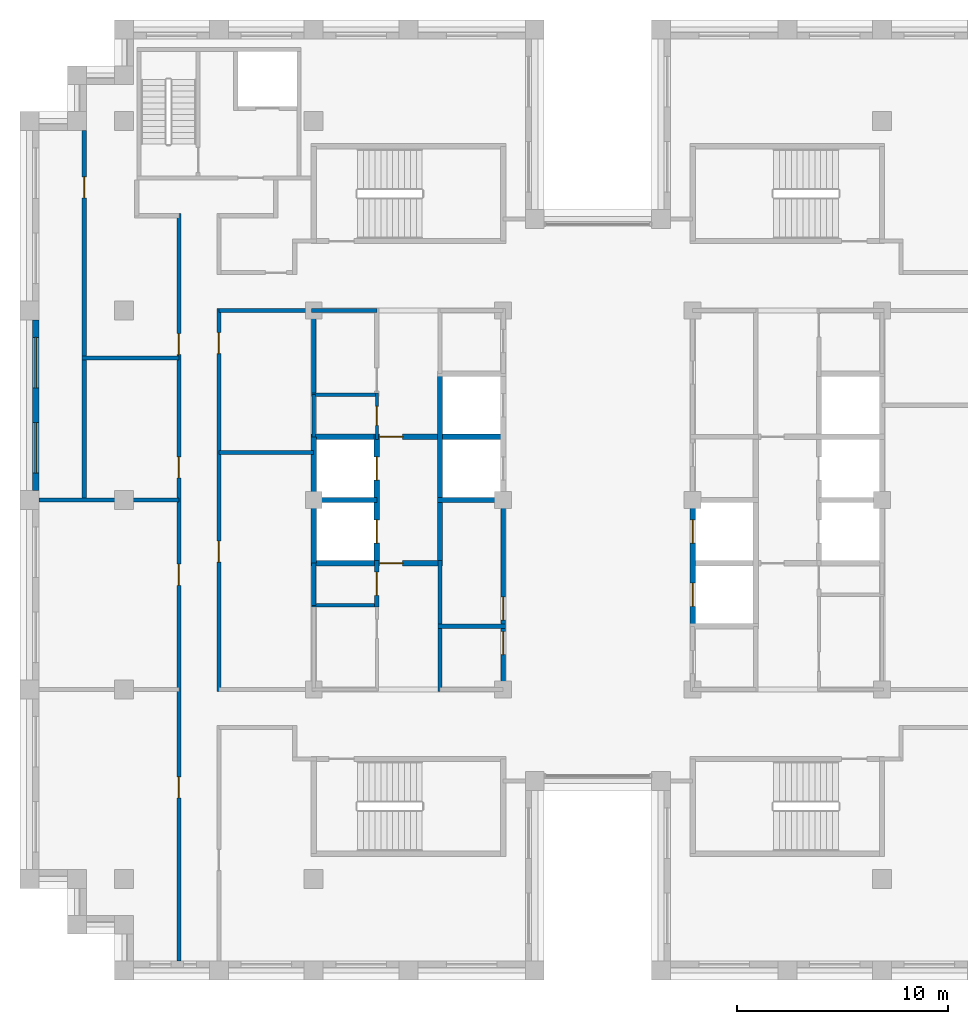
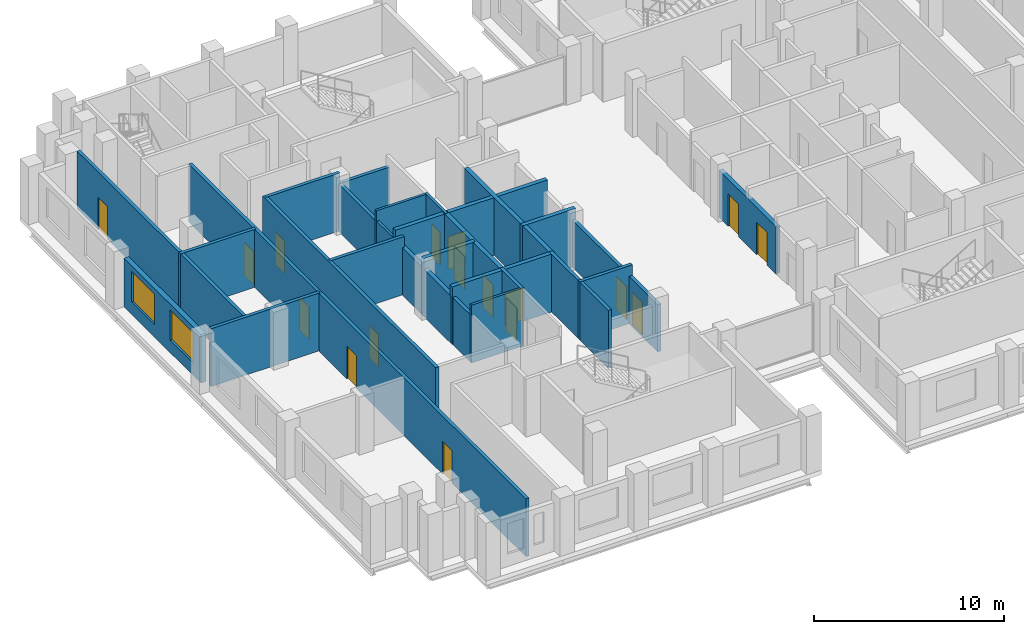
# One storey, part 7 of 13: 27 walls, 17 doors, 2 windows, 19 openings.
"""IFC4 building model written with IfcOpenShell, lengths in metres."""

from ifc_helpers import new_model, si_unit, direction, frame, frame_2d, origin, place, context, subcontext, project, spatial, rectangle, extrude, material, layer, layer_set, type_object, element, fill, save


model = new_model("IFC4")

# Units and contexts
model_context = context("Model", 3, precision=1e-05, world=origin(), true_north=direction((0.0, 1.0)))
body_context = subcontext(model_context, "Body", "Model", "MODEL_VIEW")
ifc_project = project(units=[si_unit("LENGTHUNIT", "METRE"), si_unit("AREAUNIT", "SQUARE_METRE"), si_unit("VOLUMEUNIT", "CUBIC_METRE"), si_unit("PLANEANGLEUNIT", "RADIAN"), si_unit("MASSUNIT", "GRAM", prefix="KILO")], contexts=[model_context])

# Site, building, storey
site_placement = place(None, origin())
site = spatial("IfcSite", under=ifc_project, at=site_placement, CompositionType="ELEMENT")
building_placement = place(site_placement, origin())
building = spatial("IfcBuilding", under=site, at=building_placement, Name="Corbelhall Arena Tower", CompositionType="ELEMENT")
storey_placement = place(building_placement, frame((0.0, 0.0, 246.0)))
storey = spatial("IfcBuildingStorey", under=building, at=storey_placement, Name="L52", CompositionType="ELEMENT", Elevation=246.0)

# Wall, openings, windows
ifc_material_1 = material(Name="Precast concrete C40/50 with granite facing", Category="masonry")
ifc_layer_1 = layer(ifc_material_1, 0.300048828125)
ifc_layer_set_1 = layer_set([ifc_layer_1], Name="EV-IW1 Infill panel 300")
wall_type_1 = type_object("IfcWallType", Name="EV-IW1 Infill panel 300", PredefinedType="SOLIDWALL", material=ifc_layer_set_1)
wall_1_placement = place(storey_placement, frame((-26.699951171875, 8.550048828125, 0.0), z_axis=(0.0, 0.0, 1.0), x_axis=(0.0, -1.0, 0.0)))
wall_1 = element("IfcWall", 1, at=wall_1_placement, inside=storey, type_object=wall_type_1, Name="Infill panel IW1", PredefinedType="SOLIDWALL", context=body_context, shape_type="SweptSolid", body=[
    extrude(rectangle(XDim=8.10009765625, YDim=0.300048828125, at=frame_2d((4.050048828125, 0.0))), origin(), (0.0, 0.0, 1.0), 3.1201171875),
])
opening_1_placement = place(wall_1_placement, frame((0.824951171875, 0.0, 0.800048828125)))
opening_1 = element("IfcOpeningElement", 2, at=opening_1_placement, cuts=wall_1, Name="Opening WN1", PredefinedType="OPENING", context=body_context, shape_type="SweptSolid", body=[
    extrude(rectangle(XDim=2.39990234375, YDim=1.949951171875, at=frame_2d((1.199951171875, 0.97509765625))), frame((0.0, 0.14990234375, 0.0), z_axis=(0.0, -1.0, 0.0), x_axis=(1.0, 0.0, 0.0)), (0.0, 0.0, 1.0), 0.300048828125),
])
opening_2_placement = place(wall_1_placement, frame((4.875, 0.0, 0.800048828125)))
opening_2 = element("IfcOpeningElement", 3, at=opening_2_placement, cuts=wall_1, Name="Opening WN1", PredefinedType="OPENING", context=body_context, shape_type="SweptSolid", body=[
    extrude(rectangle(XDim=2.39990234375, YDim=1.949951171875, at=frame_2d((1.199951171875, 0.97509765625))), frame((0.0, 0.14990234375, 0.0), z_axis=(0.0, -1.0, 0.0), x_axis=(1.0, 0.0, 0.0)), (0.0, 0.0, 1.0), 0.300048828125),
])
ifc_material_2 = material(Name="Aluminium black anodised", Category="aluminium")
window_type = type_object("IfcWindowType", Name="EV-WN1 Office window", PartitioningType="SINGLE_PANEL", PredefinedType="WINDOW", material=ifc_material_2)
window_1_placement = place(opening_1_placement, origin())
window_1 = element("IfcWindow", 4, at=window_1_placement, inside=storey, type_object=window_type, Name="Window WN1", OverallHeight=1.949951171875, OverallWidth=2.39990234375, PartitioningType="SINGLE_PANEL", PredefinedType="WINDOW", context=body_context, shape_type="SweptSolid", body=[
    extrude(rectangle(XDim=2.39990234375, YDim=1.949951171875, at=frame_2d((1.199951171875, 0.97509765625))), frame((0.0, 0.030029296875, 0.0), z_axis=(0.0, -1.0, 0.0), x_axis=(1.0, 0.0, 0.0)), (0.0, 0.0, 1.0), 0.06005859375),
])
fill(opening_1, window_1)
window_2_placement = place(opening_2_placement, origin())
window_2 = element("IfcWindow", 5, at=window_2_placement, inside=storey, type_object=window_type, Name="Window WN1", OverallHeight=1.949951171875, OverallWidth=2.39990234375, PartitioningType="SINGLE_PANEL", PredefinedType="WINDOW", context=body_context, shape_type="SweptSolid", body=[
    extrude(rectangle(XDim=2.39990234375, YDim=1.949951171875, at=frame_2d((1.199951171875, 0.97509765625))), frame((0.0, 0.030029296875, 0.0), z_axis=(0.0, -1.0, 0.0), x_axis=(1.0, 0.0, 0.0)), (0.0, 0.0, 1.0), 0.06005859375),
])
fill(opening_2, window_2)

# Wall
ifc_material_3 = material(Name="Gypsum board on steel stud, acoustic", Category="steel")
ifc_layer_2 = layer(ifc_material_3, 0.199951171875)
ifc_layer_set_2 = layer_set([ifc_layer_2], Name="IN-W-DM200")
wall_type_2 = type_object("IfcWallType", Name="IN-W-DM200", PredefinedType="PARTITIONING", material=ifc_layer_set_2)
wall_2_placement = place(storey_placement, frame((-24.5, 6.75, 0.0), z_axis=(0.0, 0.0, 1.0), x_axis=(1.0, 0.0, 0.0)))
element("IfcWall", 6, at=wall_2_placement, inside=storey, type_object=wall_type_2, Name="Partition 002", PredefinedType="PARTITIONING", context=body_context, shape_type="SweptSolid", body=[
    extrude(rectangle(XDim=4.60009765625, YDim=0.199951171875, at=frame_2d((2.300048828125, 0.0))), origin(), (0.0, 0.0, 1.0), 3.719970703125),
])

# Wall, opening, door
wall_3_placement = place(storey_placement, frame((-24.39990234375, -0.10009765625, 0.0), z_axis=(0.0, 0.0, 1.0), x_axis=(0.0, 1.0, 0.0)))
wall_3 = element("IfcWall", 7, at=wall_3_placement, inside=storey, type_object=wall_type_2, Name="Partition 003", PredefinedType="PARTITIONING", context=body_context, shape_type="SweptSolid", body=[
    extrude(rectangle(XDim=17.650146484375, YDim=0.199951171875, at=frame_2d((8.8251953125, 0.0))), origin(), (0.0, 0.0, 1.0), 3.719970703125),
])
opening_3_placement = place(wall_3_placement, frame((14.449951171875, 0.0, 0.0)))
opening_3 = element("IfcOpeningElement", 8, at=opening_3_placement, cuts=wall_3, Name="Opening 16031", PredefinedType="OPENING", context=body_context, shape_type="SweptSolid", body=[
    extrude(rectangle(XDim=1.0, YDim=2.10009765625, at=frame_2d((0.5, 1.050048828125))), frame((0.0, 0.10009765625, 0.0), z_axis=(0.0, -1.0, 0.0), x_axis=(1.0, 0.0, 0.0)), (0.0, 0.0, 1.0), 0.199951171875),
])
ifc_material_4 = material(Name="Steel door set", Category="steel")
door_type_1 = type_object("IfcDoorType", Name="IN-D-SW100", OperationType="NOTDEFINED", PredefinedType="DOOR", material=ifc_material_4)
door_1_placement = place(opening_3_placement, origin())
door_1 = element("IfcDoor", 9, at=door_1_placement, inside=storey, type_object=door_type_1, Name="Door 031", OperationType="SINGLE_SWING_RIGHT", OverallHeight=2.10009765625, OverallWidth=1.0, PredefinedType="DOOR", context=body_context, shape_type="SweptSolid", body=[
    extrude(rectangle(XDim=1.0, YDim=2.10009765625, at=frame_2d((0.5, 1.050048828125))), frame((0.0, 0.02490234375, 0.0), z_axis=(0.0, -1.0, 0.0), x_axis=(1.0, 0.0, 0.0)), (0.0, 0.0, 1.0), 0.050048828125),
])
fill(opening_3, door_1)

# Wall
wall_4_placement = place(storey_placement, frame((-19.89990234375, 0.0, 0.0), z_axis=(0.0, 0.0, 1.0), x_axis=(-1.0, 0.0, 0.0)))
element("IfcWall", 10, at=wall_4_placement, inside=storey, type_object=wall_type_2, Name="Partition 004", PredefinedType="PARTITIONING", context=body_context, shape_type="SweptSolid", body=[
    extrude(rectangle(XDim=6.650146484375, YDim=0.199951171875, at=frame_2d((3.3251953125, 0.0))), origin(), (0.0, 0.0, 1.0), 3.719970703125),
])

# Wall, openings, doors
wall_5_placement = place(storey_placement, frame((-19.89990234375, -21.89990234375, 0.0), z_axis=(0.0, 0.0, 1.0), x_axis=(0.0, 1.0, 0.0)))
wall_5 = element("IfcWall", 11, at=wall_5_placement, inside=storey, type_object=wall_type_2, Name="Partition 006", PredefinedType="PARTITIONING", context=body_context, shape_type="SweptSolid", body=[
    extrude(rectangle(XDim=35.5, YDim=0.199951171875, at=frame_2d((17.75, 0.0))), origin(), (0.0, 0.0, 1.0), 3.719970703125),
])
opening_4_placement = place(wall_5_placement, frame((22.949951171875, 0.0, 0.0)))
opening_4 = element("IfcOpeningElement", 12, at=opening_4_placement, cuts=wall_5, Name="Opening 16029", PredefinedType="OPENING", context=body_context, shape_type="SweptSolid", body=[
    extrude(rectangle(XDim=1.0, YDim=2.10009765625, at=frame_2d((0.5, 1.050048828125))), frame((0.0, 0.10009765625, 0.0), z_axis=(0.0, -1.0, 0.0), x_axis=(1.0, 0.0, 0.0)), (0.0, 0.0, 1.0), 0.199951171875),
])
opening_5_placement = place(wall_5_placement, frame((28.800048828125, 0.0, 0.0)))
opening_5 = element("IfcOpeningElement", 13, at=opening_5_placement, cuts=wall_5, Name="Opening 16030", PredefinedType="OPENING", context=body_context, shape_type="SweptSolid", body=[
    extrude(rectangle(XDim=1.0, YDim=2.10009765625, at=frame_2d((0.5, 1.050048828125))), frame((0.0, 0.10009765625, 0.0), z_axis=(0.0, -1.0, 0.0), x_axis=(1.0, 0.0, 0.0)), (0.0, 0.0, 1.0), 0.199951171875),
])
opening_6_placement = place(wall_5_placement, frame((7.75, 0.0, 0.0)))
opening_6 = element("IfcOpeningElement", 14, at=opening_6_placement, cuts=wall_5, Name="Opening 16032", PredefinedType="OPENING", context=body_context, shape_type="SweptSolid", body=[
    extrude(rectangle(XDim=1.0, YDim=2.10009765625, at=frame_2d((0.5, 1.050048828125))), frame((0.0, 0.10009765625, 0.0), z_axis=(0.0, -1.0, 0.0), x_axis=(1.0, 0.0, 0.0)), (0.0, 0.0, 1.0), 0.199951171875),
])
opening_7_placement = place(wall_5_placement, frame((17.85009765625, 0.0, 0.0)))
opening_7 = element("IfcOpeningElement", 15, at=opening_7_placement, cuts=wall_5, Name="Opening 16033", PredefinedType="OPENING", context=body_context, shape_type="SweptSolid", body=[
    extrude(rectangle(XDim=1.0, YDim=2.10009765625, at=frame_2d((0.5, 1.050048828125))), frame((0.0, 0.10009765625, 0.0), z_axis=(0.0, -1.0, 0.0), x_axis=(1.0, 0.0, 0.0)), (0.0, 0.0, 1.0), 0.199951171875),
])
door_2_placement = place(opening_4_placement, origin())
door_2 = element("IfcDoor", 16, at=door_2_placement, inside=storey, type_object=door_type_1, Name="Door 029", OperationType="SINGLE_SWING_RIGHT", OverallHeight=2.10009765625, OverallWidth=1.0, PredefinedType="DOOR", context=body_context, shape_type="SweptSolid", body=[
    extrude(rectangle(XDim=1.0, YDim=2.10009765625, at=frame_2d((0.5, 1.050048828125))), frame((0.0, 0.02490234375, 0.0), z_axis=(0.0, -1.0, 0.0), x_axis=(1.0, 0.0, 0.0)), (0.0, 0.0, 1.0), 0.050048828125),
])
fill(opening_4, door_2)
door_3_placement = place(opening_5_placement, origin())
door_3 = element("IfcDoor", 17, at=door_3_placement, inside=storey, type_object=door_type_1, Name="Door 030", OperationType="SINGLE_SWING_LEFT", OverallHeight=2.10009765625, OverallWidth=1.0, PredefinedType="DOOR", context=body_context, shape_type="SweptSolid", body=[
    extrude(rectangle(XDim=1.0, YDim=2.10009765625, at=frame_2d((0.5, 1.050048828125))), frame((0.0, 0.02490234375, 0.0), z_axis=(0.0, -1.0, 0.0), x_axis=(1.0, 0.0, 0.0)), (0.0, 0.0, 1.0), 0.050048828125),
])
fill(opening_5, door_3)
door_4_placement = place(opening_6_placement, origin())
door_4 = element("IfcDoor", 18, at=door_4_placement, inside=storey, type_object=door_type_1, Name="Door 032", OperationType="SINGLE_SWING_LEFT", OverallHeight=2.10009765625, OverallWidth=1.0, PredefinedType="DOOR", context=body_context, shape_type="SweptSolid", body=[
    extrude(rectangle(XDim=1.0, YDim=2.10009765625, at=frame_2d((0.5, 1.050048828125))), frame((0.0, 0.02490234375, 0.0), z_axis=(0.0, -1.0, 0.0), x_axis=(1.0, 0.0, 0.0)), (0.0, 0.0, 1.0), 0.050048828125),
])
fill(opening_6, door_4)
door_5_placement = place(opening_7_placement, origin())
door_5 = element("IfcDoor", 19, at=door_5_placement, inside=storey, type_object=door_type_1, Name="Door 033", OperationType="SINGLE_SWING_RIGHT", OverallHeight=2.10009765625, OverallWidth=1.0, PredefinedType="DOOR", context=body_context, shape_type="SweptSolid", body=[
    extrude(rectangle(XDim=1.0, YDim=2.10009765625, at=frame_2d((0.5, 1.050048828125))), frame((0.0, 0.02490234375, 0.0), z_axis=(0.0, -1.0, 0.0), x_axis=(1.0, 0.0, 0.0)), (0.0, 0.0, 1.0), 0.050048828125),
])
fill(opening_7, door_5)

# Wall
wall_6_placement = place(storey_placement, frame((-18.0, 2.25, 0.0), z_axis=(0.0, 0.0, 1.0), x_axis=(1.0, 0.0, 0.0)))
element("IfcWall", 20, at=wall_6_placement, inside=storey, type_object=wall_type_2, Name="Partition 010", PredefinedType="PARTITIONING", context=body_context, shape_type="SweptSolid", body=[
    extrude(rectangle(XDim=4.5, YDim=0.199951171875, at=frame_2d((2.25, 0.0))), origin(), (0.0, 0.0, 1.0), 3.719970703125),
])

# Wall, openings, doors
wall_7_placement = place(storey_placement, frame((-18.0, 9.10009765625, 0.0), z_axis=(0.0, 0.0, 1.0), x_axis=(0.0, -1.0, 0.0)))
wall_7 = element("IfcWall", 21, at=wall_7_placement, inside=storey, type_object=wall_type_2, Name="Partition 011", PredefinedType="PARTITIONING", context=body_context, shape_type="SweptSolid", body=[
    extrude(rectangle(XDim=18.2001953125, YDim=0.199951171875, at=frame_2d((9.10009765625, 0.0))), origin(), (0.0, 0.0, 1.0), 3.719970703125),
])
opening_8_placement = place(wall_7_placement, frame((11.050048828125, 0.0, 0.0)))
opening_8 = element("IfcOpeningElement", 22, at=opening_8_placement, cuts=wall_7, Name="Opening 16021", PredefinedType="OPENING", context=body_context, shape_type="SweptSolid", body=[
    extrude(rectangle(XDim=1.0, YDim=2.10009765625, at=frame_2d((0.5, 1.050048828125))), frame((0.0, 0.10009765625, 0.0), z_axis=(0.0, -1.0, 0.0), x_axis=(1.0, 0.0, 0.0)), (0.0, 0.0, 1.0), 0.199951171875),
])
opening_9_placement = place(wall_7_placement, frame((1.14990234375, 0.0, 0.0)))
opening_9 = element("IfcOpeningElement", 23, at=opening_9_placement, cuts=wall_7, Name="Opening 16022", PredefinedType="OPENING", context=body_context, shape_type="SweptSolid", body=[
    extrude(rectangle(XDim=1.0, YDim=2.10009765625, at=frame_2d((0.5, 1.050048828125))), frame((0.0, 0.10009765625, 0.0), z_axis=(0.0, -1.0, 0.0), x_axis=(1.0, 0.0, 0.0)), (0.0, 0.0, 1.0), 0.199951171875),
])
door_6_placement = place(opening_8_placement, origin())
door_6 = element("IfcDoor", 24, at=door_6_placement, inside=storey, type_object=door_type_1, Name="Door 021", OperationType="SINGLE_SWING_RIGHT", OverallHeight=2.10009765625, OverallWidth=1.0, PredefinedType="DOOR", context=body_context, shape_type="SweptSolid", body=[
    extrude(rectangle(XDim=1.0, YDim=2.10009765625, at=frame_2d((0.5, 1.050048828125))), frame((0.0, 0.02490234375, 0.0), z_axis=(0.0, -1.0, 0.0), x_axis=(1.0, 0.0, 0.0)), (0.0, 0.0, 1.0), 0.050048828125),
])
fill(opening_8, door_6)
door_7_placement = place(opening_9_placement, origin())
door_7 = element("IfcDoor", 25, at=door_7_placement, inside=storey, type_object=door_type_1, Name="Door 022", OperationType="SINGLE_SWING_LEFT", OverallHeight=2.10009765625, OverallWidth=1.0, PredefinedType="DOOR", context=body_context, shape_type="SweptSolid", body=[
    extrude(rectangle(XDim=1.0, YDim=2.10009765625, at=frame_2d((0.5, 1.050048828125))), frame((0.0, 0.02490234375, 0.0), z_axis=(0.0, -1.0, 0.0), x_axis=(1.0, 0.0, 0.0)), (0.0, 0.0, 1.0), 0.050048828125),
])
fill(opening_9, door_7)

# Wall
wall_8_placement = place(storey_placement, frame((-13.5, 9.0, 0.0), z_axis=(0.0, 0.0, 1.0), x_axis=(-1.0, 0.0, 0.0)))
element("IfcWall", 26, at=wall_8_placement, inside=storey, type_object=wall_type_2, Name="Partition 019", PredefinedType="PARTITIONING", context=body_context, shape_type="SweptSolid", body=[
    extrude(rectangle(XDim=4.5, YDim=0.199951171875, at=frame_2d((2.25, 0.0))), origin(), (0.0, 0.0, 1.0), 3.719970703125),
])

# Wall, opening, door
ifc_material_5 = material(Name="Concrete block wall", Category="concrete")
ifc_layer_3 = layer(ifc_material_5, 0.199951171875)
ifc_layer_set_3 = layer_set([ifc_layer_3], Name="IN-W-RS200")
wall_type_3 = type_object("IfcWallType", Name="IN-W-RS200", PredefinedType="SOLIDWALL", material=ifc_layer_set_3)
wall_9_placement = place(storey_placement, frame((-10.5, -5.074951171875, 0.0), z_axis=(0.0, 0.0, 1.0), x_axis=(0.0, 1.0, 0.0)))
wall_9 = element("IfcWall", 27, at=wall_9_placement, inside=storey, type_object=wall_type_3, Name="Partition 047", PredefinedType="SOLIDWALL", context=body_context, shape_type="SweptSolid", body=[
    extrude(rectangle(XDim=2.199951171875, YDim=0.199951171875, at=frame_2d((1.10009765625, 0.0))), origin(), (0.0, 0.0, 1.0), 3.719970703125),
])
opening_10_placement = place(wall_9_placement, frame((0.550048828125, 0.0, 0.0)))
opening_10 = element("IfcOpeningElement", 28, at=opening_10_placement, cuts=wall_9, Name="Opening 16007", PredefinedType="OPENING", context=body_context, shape_type="SweptSolid", body=[
    extrude(rectangle(XDim=1.10009765625, YDim=2.10009765625, at=frame_2d((0.550048828125, 1.050048828125))), frame((0.0, 0.10009765625, 0.0), z_axis=(0.0, -1.0, 0.0), x_axis=(1.0, 0.0, 0.0)), (0.0, 0.0, 1.0), 0.199951171875),
])
door_type_2 = type_object("IfcDoorType", Name="IN-D-FD110", OperationType="NOTDEFINED", PredefinedType="DOOR", material=ifc_material_4)
door_8_placement = place(opening_10_placement, origin())
door_8 = element("IfcDoor", 29, at=door_8_placement, inside=storey, type_object=door_type_2, Name="Door 007", OperationType="SINGLE_SWING_RIGHT", OverallHeight=2.10009765625, OverallWidth=1.10009765625, PredefinedType="DOOR", context=body_context, shape_type="SweptSolid", body=[
    extrude(rectangle(XDim=1.10009765625, YDim=2.10009765625, at=frame_2d((0.550048828125, 1.050048828125))), frame((0.0, 0.02490234375, 0.0), z_axis=(0.0, -1.0, 0.0), x_axis=(1.0, 0.0, 0.0)), (0.0, 0.0, 1.0), 0.050048828125),
])
fill(opening_10, door_8)

# Walls
wall_10_placement = place(storey_placement, frame((-7.60009765625, -6.0, 0.0), z_axis=(0.0, 0.0, 1.0), x_axis=(1.0, 0.0, 0.0)))
element("IfcWall", 30, at=wall_10_placement, inside=storey, type_object=wall_type_3, Name="Partition 049", PredefinedType="SOLIDWALL", context=body_context, shape_type="SweptSolid", body=[
    extrude(rectangle(XDim=3.2001953125, YDim=0.199951171875, at=frame_2d((1.60009765625, 0.0))), origin(), (0.0, 0.0, 1.0), 3.719970703125),
])
wall_11_placement = place(storey_placement, frame((-7.5, -9.10009765625, 0.0), z_axis=(0.0, 0.0, 1.0), x_axis=(0.0, 1.0, 0.0)))
element("IfcWall", 31, at=wall_11_placement, inside=storey, type_object=wall_type_3, Name="Partition 050", PredefinedType="SOLIDWALL", context=body_context, shape_type="SweptSolid", body=[
    extrude(rectangle(XDim=6.22509765625, YDim=0.199951171875, at=frame_2d((3.112548828125, 0.0))), origin(), (0.0, 0.0, 1.0), 3.719970703125),
])
ifc_layer_4 = layer(ifc_material_5, 0.199951171875)
ifc_layer_set_4 = layer_set([ifc_layer_4], Name="IN-W-RS200 under beam 678 mm")
wall_type_4 = type_object("IfcWallType", Name="IN-W-RS200 under beam 678 mm", PredefinedType="SOLIDWALL", material=ifc_layer_set_4)
wall_12_placement = place(storey_placement, frame((-13.60009765625, 9.0, 0.0), z_axis=(0.0, 0.0, 1.0), x_axis=(1.0, 0.0, 0.0)))
element("IfcWall", 32, at=wall_12_placement, inside=storey, type_object=wall_type_4, Name="Partition 044", PredefinedType="SOLIDWALL", context=body_context, shape_type="SweptSolid", body=[
    extrude(rectangle(XDim=3.10009765625, YDim=0.199951171875, at=frame_2d((1.550048828125, 0.0))), origin(), (0.0, 0.0, 1.0), 3.041748046875),
])
wall_13_placement = place(storey_placement, frame((-13.5, -5.0, 0.0), z_axis=(0.0, 0.0, 1.0), x_axis=(0.0, 1.0, 0.0)))
element("IfcWall", 33, at=wall_13_placement, inside=storey, type_object=wall_type_4, Name="Partition 045", PredefinedType="SOLIDWALL", context=body_context, shape_type="SweptSolid", body=[
    extrude(rectangle(XDim=2.0, YDim=0.199951171875, at=frame_2d((1.0, 0.0))), origin(), (0.0, 0.0, 1.0), 3.041748046875),
])
wall_14_placement = place(storey_placement, frame((-13.5, 5.0, 0.0), z_axis=(0.0, 0.0, 1.0), x_axis=(0.0, 1.0, 0.0)))
element("IfcWall", 34, at=wall_14_placement, inside=storey, type_object=wall_type_4, Name="Partition 046", PredefinedType="SOLIDWALL", context=body_context, shape_type="SweptSolid", body=[
    extrude(rectangle(XDim=4.10009765625, YDim=0.199951171875, at=frame_2d((2.050048828125, 0.0))), origin(), (0.0, 0.0, 1.0), 3.041748046875),
])

# Wall, openings, doors
wall_15_placement = place(storey_placement, frame((-4.5, 0.0, 0.0), z_axis=(0.0, 0.0, 1.0), x_axis=(0.0, -1.0, 0.0)))
wall_15 = element("IfcWall", 35, at=wall_15_placement, inside=storey, type_object=wall_type_4, Name="Partition 054", PredefinedType="SOLIDWALL", context=body_context, shape_type="SweptSolid", body=[
    extrude(rectangle(XDim=9.10009765625, YDim=0.199951171875, at=frame_2d((4.550048828125, 0.0))), origin(), (0.0, 0.0, 1.0), 3.041748046875),
])
opening_11_placement = place(wall_15_placement, frame((6.25, 0.0, 0.0)))
opening_11 = element("IfcOpeningElement", 36, at=opening_11_placement, cuts=wall_15, Name="Opening 16001", PredefinedType="OPENING", context=body_context, shape_type="SweptSolid", body=[
    extrude(rectangle(XDim=1.10009765625, YDim=2.10009765625, at=frame_2d((0.550048828125, 1.050048828125))), frame((0.0, 0.10009765625, 0.0), z_axis=(0.0, -1.0, 0.0), x_axis=(1.0, 0.0, 0.0)), (0.0, 0.0, 1.0), 0.199951171875),
])
opening_12_placement = place(wall_15_placement, frame((4.60009765625, 0.0, 0.0)))
opening_12 = element("IfcOpeningElement", 37, at=opening_12_placement, cuts=wall_15, Name="Opening 16002", PredefinedType="OPENING", context=body_context, shape_type="SweptSolid", body=[
    extrude(rectangle(XDim=1.10009765625, YDim=2.10009765625, at=frame_2d((0.550048828125, 1.050048828125))), frame((0.0, 0.10009765625, 0.0), z_axis=(0.0, -1.0, 0.0), x_axis=(1.0, 0.0, 0.0)), (0.0, 0.0, 1.0), 0.199951171875),
])
door_9_placement = place(opening_11_placement, origin())
door_9 = element("IfcDoor", 38, at=door_9_placement, inside=storey, type_object=door_type_2, Name="Door 001", OperationType="SINGLE_SWING_RIGHT", OverallHeight=2.10009765625, OverallWidth=1.10009765625, PredefinedType="DOOR", context=body_context, shape_type="SweptSolid", body=[
    extrude(rectangle(XDim=1.10009765625, YDim=2.10009765625, at=frame_2d((0.550048828125, 1.050048828125))), frame((0.0, 0.02490234375, 0.0), z_axis=(0.0, -1.0, 0.0), x_axis=(1.0, 0.0, 0.0)), (0.0, 0.0, 1.0), 0.050048828125),
])
fill(opening_11, door_9)
door_10_placement = place(opening_12_placement, origin())
door_10 = element("IfcDoor", 39, at=door_10_placement, inside=storey, type_object=door_type_2, Name="Door 002", OperationType="SINGLE_SWING_LEFT", OverallHeight=2.10009765625, OverallWidth=1.10009765625, PredefinedType="DOOR", context=body_context, shape_type="SweptSolid", body=[
    extrude(rectangle(XDim=1.10009765625, YDim=2.10009765625, at=frame_2d((0.550048828125, 1.050048828125))), frame((0.0, 0.02490234375, 0.0), z_axis=(0.0, -1.0, 0.0), x_axis=(1.0, 0.0, 0.0)), (0.0, 0.0, 1.0), 0.050048828125),
])
fill(opening_12, door_10)

# Wall
ifc_material_6 = material(Name="Concrete C40/50", Category="concrete")
ifc_layer_5 = layer(ifc_material_6, 0.25)
ifc_layer_set_5 = layer_set([ifc_layer_5], Name="IN-W-SH250")
wall_type_5 = type_object("IfcWallType", Name="IN-W-SH250", PredefinedType="SOLIDWALL", material=ifc_layer_set_5)
wall_16_placement = place(storey_placement, frame((-13.625, 0.0, 0.0), z_axis=(0.0, 0.0, 1.0), x_axis=(1.0, 0.0, 0.0)))
element("IfcWall", 40, at=wall_16_placement, inside=storey, type_object=wall_type_5, Name="Shaft wall 068", PredefinedType="SOLIDWALL", context=body_context, shape_type="SweptSolid", body=[
    extrude(rectangle(XDim=3.125, YDim=0.25, at=frame_2d((1.5625, 0.0))), origin(), (0.0, 0.0, 1.0), 3.719970703125),
])

# Wall, opening, door
wall_17_placement = place(storey_placement, frame((-13.625, 3.0, 0.0), z_axis=(0.0, 0.0, 1.0), x_axis=(1.0, 0.0, 0.0)))
wall_17 = element("IfcWall", 41, at=wall_17_placement, inside=storey, type_object=wall_type_5, Name="Shaft wall 069", PredefinedType="SOLIDWALL", context=body_context, shape_type="SweptSolid", body=[
    extrude(rectangle(XDim=9.25, YDim=0.25, at=frame_2d((4.625, 0.0))), origin(), (0.0, 0.0, 1.0), 3.719970703125),
])
opening_13_placement = place(wall_17_placement, frame((3.25, 0.0, 0.0)))
opening_13 = element("IfcOpeningElement", 42, at=opening_13_placement, cuts=wall_17, Name="Opening 16005", PredefinedType="OPENING", context=body_context, shape_type="SweptSolid", body=[
    extrude(rectangle(XDim=1.10009765625, YDim=2.10009765625, at=frame_2d((0.550048828125, 1.050048828125))), frame((0.0, 0.125, 0.0), z_axis=(0.0, -1.0, 0.0), x_axis=(1.0, 0.0, 0.0)), (0.0, 0.0, 1.0), 0.25),
])
door_11_placement = place(opening_13_placement, origin())
door_11 = element("IfcDoor", 43, at=door_11_placement, inside=storey, type_object=door_type_2, Name="Door 005", OperationType="SINGLE_SWING_RIGHT", OverallHeight=2.10009765625, OverallWidth=1.10009765625, PredefinedType="DOOR", context=body_context, shape_type="SweptSolid", body=[
    extrude(rectangle(XDim=1.10009765625, YDim=2.10009765625, at=frame_2d((0.550048828125, 1.050048828125))), frame((0.0, 0.02490234375, 0.0), z_axis=(0.0, -1.0, 0.0), x_axis=(1.0, 0.0, 0.0)), (0.0, 0.0, 1.0), 0.050048828125),
])
fill(opening_13, door_11)

wall_18_placement = place(storey_placement, frame((-13.625, -3.0, 0.0), z_axis=(0.0, 0.0, 1.0), x_axis=(1.0, 0.0, 0.0)))
wall_18 = element("IfcWall", 44, at=wall_18_placement, inside=storey, type_object=wall_type_5, Name="Shaft wall 071", PredefinedType="SOLIDWALL", context=body_context, shape_type="SweptSolid", body=[
    extrude(rectangle(XDim=6.125, YDim=0.25, at=frame_2d((3.0625, 0.0))), origin(), (0.0, 0.0, 1.0), 3.719970703125),
])
opening_14_placement = place(wall_18_placement, frame((3.25, 0.0, 0.0)))
opening_14 = element("IfcOpeningElement", 45, at=opening_14_placement, cuts=wall_18, Name="Opening 16004", PredefinedType="OPENING", context=body_context, shape_type="SweptSolid", body=[
    extrude(rectangle(XDim=1.10009765625, YDim=2.10009765625, at=frame_2d((0.550048828125, 1.050048828125))), frame((0.0, 0.125, 0.0), z_axis=(0.0, -1.0, 0.0), x_axis=(1.0, 0.0, 0.0)), (0.0, 0.0, 1.0), 0.25),
])
door_12_placement = place(opening_14_placement, origin())
door_12 = element("IfcDoor", 46, at=door_12_placement, inside=storey, type_object=door_type_2, Name="Door 004", OperationType="SINGLE_SWING_LEFT", OverallHeight=2.10009765625, OverallWidth=1.10009765625, PredefinedType="DOOR", context=body_context, shape_type="SweptSolid", body=[
    extrude(rectangle(XDim=1.10009765625, YDim=2.10009765625, at=frame_2d((0.550048828125, 1.050048828125))), frame((0.0, 0.02490234375, 0.0), z_axis=(0.0, -1.0, 0.0), x_axis=(1.0, 0.0, 0.0)), (0.0, 0.0, 1.0), 0.050048828125),
])
fill(opening_14, door_12)

# Wall, openings, doors
wall_19_placement = place(storey_placement, frame((-10.5, -3.125, 0.0), z_axis=(0.0, 0.0, 1.0), x_axis=(0.0, 1.0, 0.0)))
wall_19 = element("IfcWall", 47, at=wall_19_placement, inside=storey, type_object=wall_type_5, Name="Shaft wall 072", PredefinedType="SOLIDWALL", context=body_context, shape_type="SweptSolid", body=[
    extrude(rectangle(XDim=6.25, YDim=0.25, at=frame_2d((3.125, 0.0))), origin(), (0.0, 0.0, 1.0), 3.719970703125),
])
opening_15_placement = place(wall_19_placement, frame((1.074951171875, 0.0, 0.0)))
opening_15 = element("IfcOpeningElement", 48, at=opening_15_placement, cuts=wall_19, Name="Opening LD", PredefinedType="OPENING", context=body_context, shape_type="SweptSolid", body=[
    extrude(rectangle(XDim=1.10009765625, YDim=2.10009765625, at=frame_2d((0.550048828125, 1.050048828125))), frame((0.0, 0.125, 0.0), z_axis=(0.0, -1.0, 0.0), x_axis=(1.0, 0.0, 0.0)), (0.0, 0.0, 1.0), 0.25),
])
opening_16_placement = place(wall_19_placement, frame((4.074951171875, 0.0, 0.0)))
opening_16 = element("IfcOpeningElement", 49, at=opening_16_placement, cuts=wall_19, Name="Opening LD", PredefinedType="OPENING", context=body_context, shape_type="SweptSolid", body=[
    extrude(rectangle(XDim=1.10009765625, YDim=2.10009765625, at=frame_2d((0.550048828125, 1.050048828125))), frame((0.0, 0.125, 0.0), z_axis=(0.0, -1.0, 0.0), x_axis=(1.0, 0.0, 0.0)), (0.0, 0.0, 1.0), 0.25),
])
door_type_3 = type_object("IfcDoorType", Name="IN-D-LD110", OperationType="NOTDEFINED", PredefinedType="DOOR", material=ifc_material_4)
door_13_placement = place(opening_15_placement, origin())
door_13 = element("IfcDoor", 50, at=door_13_placement, inside=storey, type_object=door_type_3, Name="Landing door W3", OperationType="SLIDING_TO_LEFT", OverallHeight=2.10009765625, OverallWidth=1.10009765625, PredefinedType="DOOR", context=body_context, shape_type="SweptSolid", body=[
    extrude(rectangle(XDim=1.10009765625, YDim=2.10009765625, at=frame_2d((0.550048828125, 1.050048828125))), frame((0.0, 0.02490234375, 0.0), z_axis=(0.0, -1.0, 0.0), x_axis=(1.0, 0.0, 0.0)), (0.0, 0.0, 1.0), 0.050048828125),
])
fill(opening_15, door_13)
door_14_placement = place(opening_16_placement, origin())
door_14 = element("IfcDoor", 51, at=door_14_placement, inside=storey, type_object=door_type_3, Name="Landing door W4", OperationType="SLIDING_TO_LEFT", OverallHeight=2.10009765625, OverallWidth=1.10009765625, PredefinedType="DOOR", context=body_context, shape_type="SweptSolid", body=[
    extrude(rectangle(XDim=1.10009765625, YDim=2.10009765625, at=frame_2d((0.550048828125, 1.050048828125))), frame((0.0, 0.02490234375, 0.0), z_axis=(0.0, -1.0, 0.0), x_axis=(1.0, 0.0, 0.0)), (0.0, 0.0, 1.0), 0.050048828125),
])
fill(opening_16, door_14)

# Walls
wall_20_placement = place(storey_placement, frame((-7.625, 0.0, 0.0), z_axis=(0.0, 0.0, 1.0), x_axis=(1.0, 0.0, 0.0)))
element("IfcWall", 52, at=wall_20_placement, inside=storey, type_object=wall_type_5, Name="Shaft wall 073", PredefinedType="SOLIDWALL", context=body_context, shape_type="SweptSolid", body=[
    extrude(rectangle(XDim=3.25, YDim=0.25, at=frame_2d((1.625, 0.0))), origin(), (0.0, 0.0, 1.0), 3.719970703125),
])
wall_21_placement = place(storey_placement, frame((-7.5, -3.125, 0.0), z_axis=(0.0, 0.0, 1.0), x_axis=(0.0, 1.0, 0.0)))
element("IfcWall", 53, at=wall_21_placement, inside=storey, type_object=wall_type_5, Name="Shaft wall 075", PredefinedType="SOLIDWALL", context=body_context, shape_type="SweptSolid", body=[
    extrude(rectangle(XDim=9.125, YDim=0.25, at=frame_2d((4.5625, 0.0))), origin(), (0.0, 0.0, 1.0), 3.719970703125),
])
ifc_layer_6 = layer(ifc_material_6, 0.25)
ifc_layer_set_6 = layer_set([ifc_layer_6], Name="IN-W-SH250 under beam 678 mm")
wall_type_6 = type_object("IfcWallType", Name="IN-W-SH250 under beam 678 mm", PredefinedType="SOLIDWALL", material=ifc_layer_set_6)
wall_22_placement = place(storey_placement, frame((-13.5, -3.0, 0.0), z_axis=(0.0, 0.0, 1.0), x_axis=(0.0, 1.0, 0.0)))
element("IfcWall", 54, at=wall_22_placement, inside=storey, type_object=wall_type_6, Name="Shaft wall 070", PredefinedType="SOLIDWALL", context=body_context, shape_type="SweptSolid", body=[
    extrude(rectangle(XDim=6.0, YDim=0.25, at=frame_2d((3.0, 0.0))), origin(), (0.0, 0.0, 1.0), 3.041748046875),
])

# Wall, openings, doors
wall_23_placement = place(storey_placement, frame((4.5, -6.0, 0.0), z_axis=(0.0, 0.0, 1.0), x_axis=(0.0, 1.0, 0.0)))
wall_23 = element("IfcWall", 55, at=wall_23_placement, inside=storey, type_object=wall_type_6, Name="Shaft wall 080", PredefinedType="SOLIDWALL", context=body_context, shape_type="SweptSolid", body=[
    extrude(rectangle(XDim=6.0, YDim=0.25, at=frame_2d((3.0, 0.0))), origin(), (0.0, 0.0, 1.0), 3.041748046875),
])
opening_17_placement = place(wall_23_placement, frame((0.949951171875, 0.0, 0.0)))
opening_17 = element("IfcOpeningElement", 56, at=opening_17_placement, cuts=wall_23, Name="Opening LD", PredefinedType="OPENING", context=body_context, shape_type="SweptSolid", body=[
    extrude(rectangle(XDim=1.10009765625, YDim=2.10009765625, at=frame_2d((0.550048828125, 1.050048828125))), frame((0.0, 0.125, 0.0), z_axis=(0.0, -1.0, 0.0), x_axis=(1.0, 0.0, 0.0)), (0.0, 0.0, 1.0), 0.25),
])
opening_18_placement = place(wall_23_placement, frame((3.949951171875, 0.0, 0.0)))
opening_18 = element("IfcOpeningElement", 57, at=opening_18_placement, cuts=wall_23, Name="Opening LD", PredefinedType="OPENING", context=body_context, shape_type="SweptSolid", body=[
    extrude(rectangle(XDim=1.10009765625, YDim=2.10009765625, at=frame_2d((0.550048828125, 1.050048828125))), frame((0.0, 0.125, 0.0), z_axis=(0.0, -1.0, 0.0), x_axis=(1.0, 0.0, 0.0)), (0.0, 0.0, 1.0), 0.25),
])
door_15_placement = place(opening_17_placement, origin())
door_15 = element("IfcDoor", 58, at=door_15_placement, inside=storey, type_object=door_type_3, Name="Landing door E2", OperationType="SLIDING_TO_LEFT", OverallHeight=2.10009765625, OverallWidth=1.10009765625, PredefinedType="DOOR", context=body_context, shape_type="SweptSolid", body=[
    extrude(rectangle(XDim=1.10009765625, YDim=2.10009765625, at=frame_2d((0.550048828125, 1.050048828125))), frame((0.0, 0.02490234375, 0.0), z_axis=(0.0, -1.0, 0.0), x_axis=(1.0, 0.0, 0.0)), (0.0, 0.0, 1.0), 0.050048828125),
])
fill(opening_17, door_15)
door_16_placement = place(opening_18_placement, origin())
door_16 = element("IfcDoor", 59, at=door_16_placement, inside=storey, type_object=door_type_3, Name="Landing door E3", OperationType="SLIDING_TO_LEFT", OverallHeight=2.10009765625, OverallWidth=1.10009765625, PredefinedType="DOOR", context=body_context, shape_type="SweptSolid", body=[
    extrude(rectangle(XDim=1.10009765625, YDim=2.10009765625, at=frame_2d((0.550048828125, 1.050048828125))), frame((0.0, 0.02490234375, 0.0), z_axis=(0.0, -1.0, 0.0), x_axis=(1.0, 0.0, 0.0)), (0.0, 0.0, 1.0), 0.050048828125),
])
fill(opening_18, door_16)

# Walls
ifc_material_7 = material(Name="Gypsum board on steel stud, moisture resistant", Category="steel")
ifc_layer_7 = layer(ifc_material_7, 0.14990234375)
ifc_layer_set_7 = layer_set([ifc_layer_7], Name="IN-W-WC150")
wall_type_7 = type_object("IfcWallType", Name="IN-W-WC150", PredefinedType="PARTITIONING", material=ifc_layer_set_7)
for number, where, z_axis, x_axis, name in (
    (60, (-13.60009765625, -5.0, 0.0), (0.0, 0.0, 1.0), (1.0, 0.0, 0.0), "Partition 103"),
    (61, (-13.60009765625, 5.0, 0.0), (0.0, 0.0, 1.0), (1.0, 0.0, 0.0), "Partition 104"),
):
    element("IfcWall", number, at=place(storey_placement, frame(where, z_axis=z_axis, x_axis=x_axis)), inside=storey, type_object=wall_type_7, Name=name, PredefinedType="PARTITIONING", context=body_context, shape_type="SweptSolid", body=[
        extrude(rectangle(XDim=3.10009765625, YDim=0.14990234375, at=frame_2d((1.550048828125, 0.0))), origin(), (0.0, 0.0, 1.0), 3.719970703125),
    ])

# Wall, opening, door
wall_24_placement = place(storey_placement, frame((-10.5, 2.875, 0.0), z_axis=(0.0, 0.0, 1.0), x_axis=(0.0, 1.0, 0.0)))
wall_24 = element("IfcWall", 62, at=wall_24_placement, inside=storey, type_object=wall_type_7, Name="Partition 109", PredefinedType="PARTITIONING", context=body_context, shape_type="SweptSolid", body=[
    extrude(rectangle(XDim=2.199951171875, YDim=0.14990234375, at=frame_2d((1.10009765625, 0.0))), origin(), (0.0, 0.0, 1.0), 3.719970703125),
])
opening_19_placement = place(wall_24_placement, frame((0.669921875, 0.0, 0.0)))
opening_19 = element("IfcOpeningElement", 63, at=opening_19_placement, cuts=wall_24, Name="Opening 16040", PredefinedType="OPENING", context=body_context, shape_type="SweptSolid", body=[
    extrude(rectangle(XDim=0.89990234375, YDim=2.10009765625, at=frame_2d((0.449951171875, 1.050048828125))), frame((0.0, 0.074951171875, 0.0), z_axis=(0.0, -1.0, 0.0), x_axis=(1.0, 0.0, 0.0)), (0.0, 0.0, 1.0), 0.14990234375),
])
ifc_material_8 = material(Name="Timber door set", Category="wood")
door_type_4 = type_object("IfcDoorType", Name="IN-D-SW90", OperationType="NOTDEFINED", PredefinedType="DOOR", material=ifc_material_8)
door_17_placement = place(opening_19_placement, origin())
door_17 = element("IfcDoor", 64, at=door_17_placement, inside=storey, type_object=door_type_4, Name="Door 040", OperationType="SINGLE_SWING_LEFT", OverallHeight=2.10009765625, OverallWidth=0.89990234375, PredefinedType="DOOR", context=body_context, shape_type="SweptSolid", body=[
    extrude(rectangle(XDim=0.89990234375, YDim=2.10009765625, at=frame_2d((0.449951171875, 1.050048828125))), frame((0.0, 0.02490234375, 0.0), z_axis=(0.0, -1.0, 0.0), x_axis=(1.0, 0.0, 0.0)), (0.0, 0.0, 1.0), 0.050048828125),
])
fill(opening_19, door_17)

# Wall
ifc_layer_8 = layer(ifc_material_7, 0.14990234375)
ifc_layer_set_8 = layer_set([ifc_layer_8], Name="IN-W-WC150 under beam 678 mm")
wall_type_8 = type_object("IfcWallType", Name="IN-W-WC150 under beam 678 mm", PredefinedType="PARTITIONING", material=ifc_layer_set_8)
wall_25_placement = place(storey_placement, frame((-13.5, 3.0, 0.0), z_axis=(0.0, 0.0, 1.0), x_axis=(0.0, 1.0, 0.0)))
element("IfcWall", 65, at=wall_25_placement, inside=storey, type_object=wall_type_8, Name="Partition 106", PredefinedType="PARTITIONING", context=body_context, shape_type="SweptSolid", body=[
    extrude(rectangle(XDim=2.0, YDim=0.14990234375, at=frame_2d((1.0, 0.0))), origin(), (0.0, 0.0, 1.0), 3.041748046875),
])

save(model, "model.ifc")
